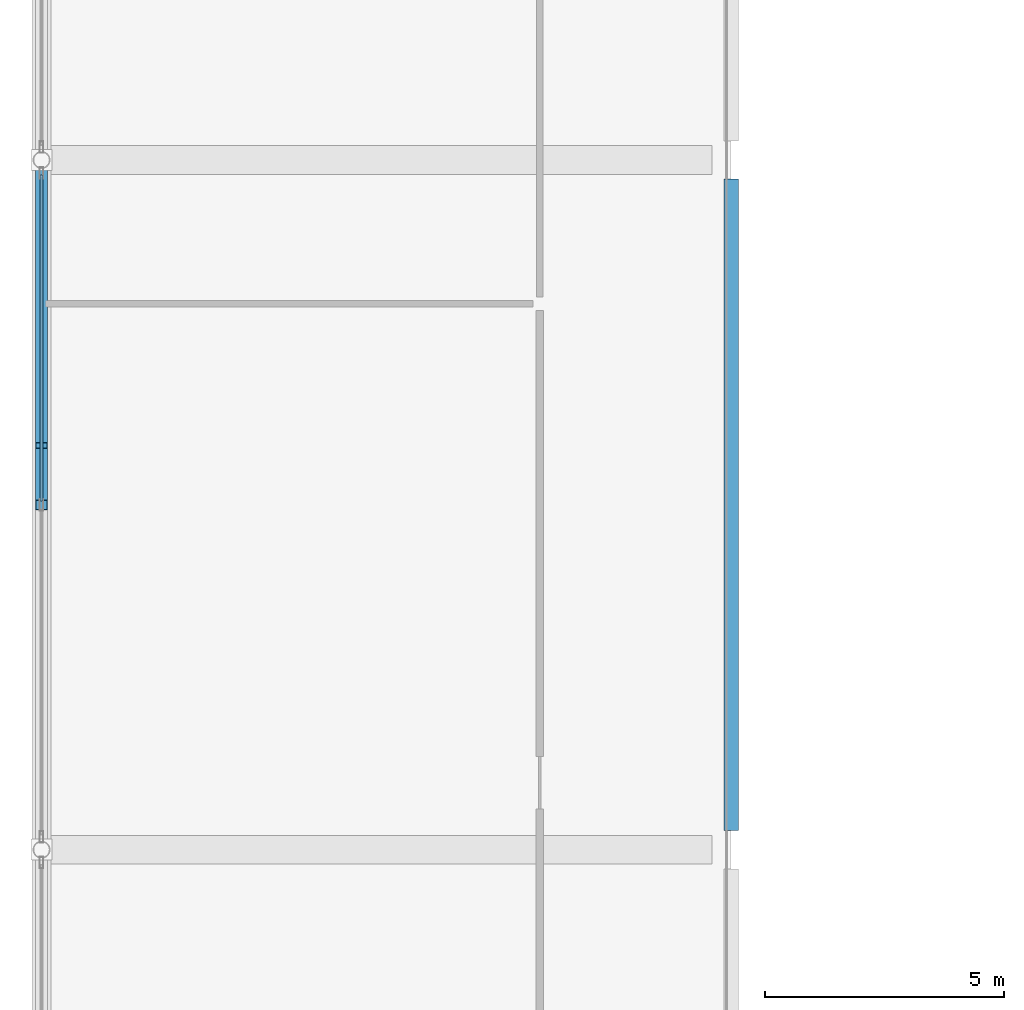
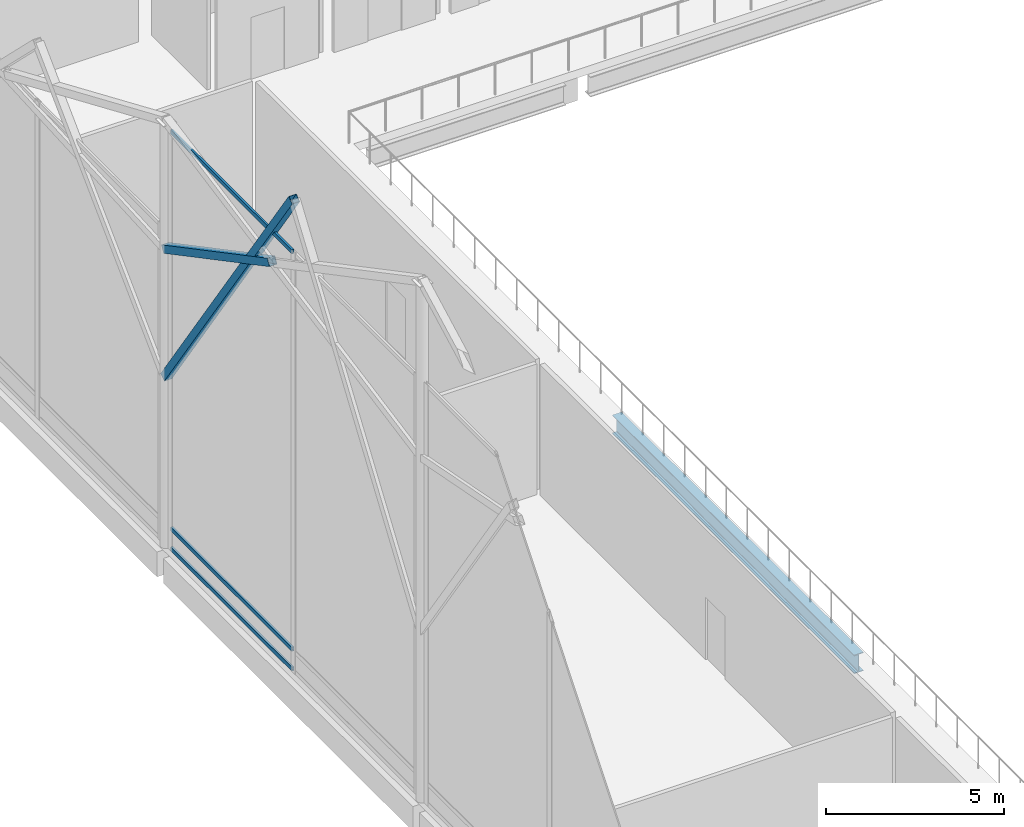
# One storey, part 59 of 220: 5 members, 1 beam, 1 element without a shape of its own.
"""IFC4 building model written with IfcOpenShell, lengths in metres."""

from ifc_helpers import new_model, si_unit, direction, frame, origin, origin_2d, place, context, subcontext, project, spatial, hollow_rectangle, i_section, extrude, material, material_profile, profile_set, type_object, element, aggregate, save


model = new_model("IFC4")

# Units and contexts
model_context = context("Model", 3, precision=1e-05, world=origin(), true_north=direction((0.0, 1.0)))
body_context = subcontext(model_context, "Body", "Model", "MODEL_VIEW")
ifc_project = project(units=[si_unit("LENGTHUNIT", "METRE"), si_unit("AREAUNIT", "SQUARE_METRE"), si_unit("VOLUMEUNIT", "CUBIC_METRE"), si_unit("PLANEANGLEUNIT", "RADIAN"), si_unit("MASSUNIT", "GRAM", prefix="KILO")], contexts=[model_context])

# Site, building, storey
site_placement = place(None, origin())
site = spatial("IfcSite", under=ifc_project, at=site_placement, CompositionType="ELEMENT")
building_placement = place(site_placement, origin())
building = spatial("IfcBuilding", under=site, at=building_placement, Name="Cendralis Lancet Convention Centre", CompositionType="ELEMENT")
storey_placement = place(building_placement, frame((0.0, 0.0, 5.39990234375)))
storey = spatial("IfcBuildingStorey", under=building, at=storey_placement, Name="L01", CompositionType="ELEMENT", Elevation=5.39990234375)

# Curtain wall, members
ifc_material_1 = material(Name="Anodised bronze architectural aluminium", Category="aluminium")
curtain_wall_type = type_object("IfcCurtainWallType", Name="ARC-CW-GB02", PredefinedType="USERDEFINED", material=ifc_material_1)
curtain_wall_placement = place(storey_placement, origin())
curtain_wall = element("IfcCurtainWall", 1, at=curtain_wall_placement, inside=storey, type_object=curtain_wall_type, Name="L01 Curtain Wall CW-GB2 #102", ObjectType="CURTAIN WALL", PredefinedType="USERDEFINED")
ifc_material_profile_1 = material_profile(ifc_material_1, hollow_rectangle(XDim=0.070068359375, YDim=0.139892578125, WallThickness=0.00390625, at=origin_2d()), Name="AL-TRAN 70x140x4.0")
ifc_profile_set_1 = profile_set([ifc_material_profile_1], Name="Anodised bronze architectural aluminium")
member_type_1 = type_object("IfcMemberType", Name="ARC-CW-TR02", PredefinedType="USERDEFINED", material=ifc_profile_set_1)
member_1_placement = place(storey_placement, frame((0.0, 100.8798828125, 0.070068359375), z_axis=(0.0, 1.0, 0.0), x_axis=(-1.0, 0.0, 0.0)))
member_1 = element("IfcMember", 2, at=member_1_placement, type_object=member_type_1, Name="Transom CW2-CW-GB2-L01-102-T1BOT", ObjectType="TRANSOM", PredefinedType="USERDEFINED", context=body_context, shape_type="SweptSolid", body=[
    extrude(hollow_rectangle(XDim=0.070068359375, YDim=0.139892578125, WallThickness=0.00390625, at=origin_2d()), origin(), (0.0, 0.0, 1.0), 6.812255859375),
])
member_2_placement = place(storey_placement, frame((0.0, 100.8798828125, 0.75), z_axis=(0.0, 1.0, 0.0), x_axis=(-1.0, 0.0, 0.0)))
member_2 = element("IfcMember", 3, at=member_2_placement, type_object=member_type_1, Name="Transom CW2-CW-GB2-L01-102-T1MID", ObjectType="TRANSOM", PredefinedType="USERDEFINED", context=body_context, shape_type="SweptSolid", body=[
    extrude(hollow_rectangle(XDim=0.070068359375, YDim=0.139892578125, WallThickness=0.00390625, at=origin_2d()), origin(), (0.0, 0.0, 1.0), 6.812255859375),
])
member_3_placement = place(storey_placement, frame((0.0, 100.8798828125, 14.385986328125), z_axis=(0.0, 1.0, 0.0), x_axis=(-1.0, 0.0, 0.0)))
member_3 = element("IfcMember", 4, at=member_3_placement, type_object=member_type_1, Name="Transom CW2-CW-GB2-L01-102-T1TOP", ObjectType="TRANSOM", PredefinedType="USERDEFINED", context=body_context, shape_type="SweptSolid", body=[
    extrude(hollow_rectangle(XDim=0.070068359375, YDim=0.139892578125, WallThickness=0.00390625, at=origin_2d()), origin(), (0.0, 0.0, 1.0), 6.812255859375),
])
aggregate(curtain_wall, [member_1, member_2, member_3])

# Beam
ifc_material_2 = material(Name="Steel S355", Category="steel")
ifc_material_profile_2 = material_profile(ifc_material_2, i_section(OverallWidth=0.300048828125, OverallDepth=0.639892578125, WebThickness=0.013427734375, FlangeThickness=0.02587890625, FilletRadius=0.027099609375, at=origin_2d()), Name="HEA 650")
ifc_profile_set_2 = profile_set([ifc_material_profile_2], Name="Steel S355")
beam_type = type_object("IfcBeamType", Name="STR-BM-SG09", PredefinedType="BEAM", material=ifc_profile_set_2)
beam_placement = place(storey_placement, frame((14.39990234375, 94.0, -0.599853515625), z_axis=(0.0, 1.0, 0.0), x_axis=(-1.0, 0.0, 0.0)))
element("IfcBeam", 5, at=beam_placement, inside=storey, type_object=beam_type, Name="L01 Beam SG09 #1282", PredefinedType="BEAM", context=body_context, shape_type="SweptSolid", body=[
    extrude(i_section(OverallWidth=0.300048828125, OverallDepth=0.639892578125, WebThickness=0.013427734375, FlangeThickness=0.02587890625, FilletRadius=0.027099609375, at=origin_2d()), origin(), (0.0, 0.0, 1.0), 13.60009765625),
])

# Members
ifc_material_profile_3 = material_profile(ifc_material_2, hollow_rectangle(XDim=0.25, YDim=0.25, WallThickness=0.012451171875, at=origin_2d()), Name="SHS 250x250x12.5")
ifc_profile_set_3 = profile_set([ifc_material_profile_3], Name="Steel S355")
member_type_2 = type_object("IfcMemberType", Name="STR-BR-GB01", PredefinedType="BRACE", material=ifc_profile_set_3)
member_4_placement = place(storey_placement, frame((0.0, 108.0, 5.800048828125), z_axis=(0.0, -0.567480667836, 0.823386720583), x_axis=(1.0, 0.0, 0.0)))
element("IfcMember", 6, at=member_4_placement, inside=storey, type_object=member_type_2, Name="Exhibition Gable Gothic Ogival Tracery Rib GBR1 #017", PredefinedType="BRACE", context=body_context, shape_type="SweptSolid", body=[
    extrude(hollow_rectangle(XDim=0.25, YDim=0.25, WallThickness=0.012451171875, at=origin_2d()), origin(), (0.0, 0.0, 1.0), 12.6875),
])
member_5_placement = place(storey_placement, frame((0.0, 108.0, 10.203125), z_axis=(0.0, -0.883854841762, 0.467761283877), x_axis=(1.0, 0.0, 0.0)))
element("IfcMember", 7, at=member_5_placement, inside=storey, type_object=member_type_2, Name="Exhibition Gable Split X-Brace Rib GBR1 #019", PredefinedType="BRACE", context=body_context, shape_type="SweptSolid", body=[
    extrude(hollow_rectangle(XDim=0.25, YDim=0.25, WallThickness=0.012451171875, at=origin_2d()), origin(), (0.0, 0.0, 1.0), 6.742919921875),
])

save(model, "model.ifc")
